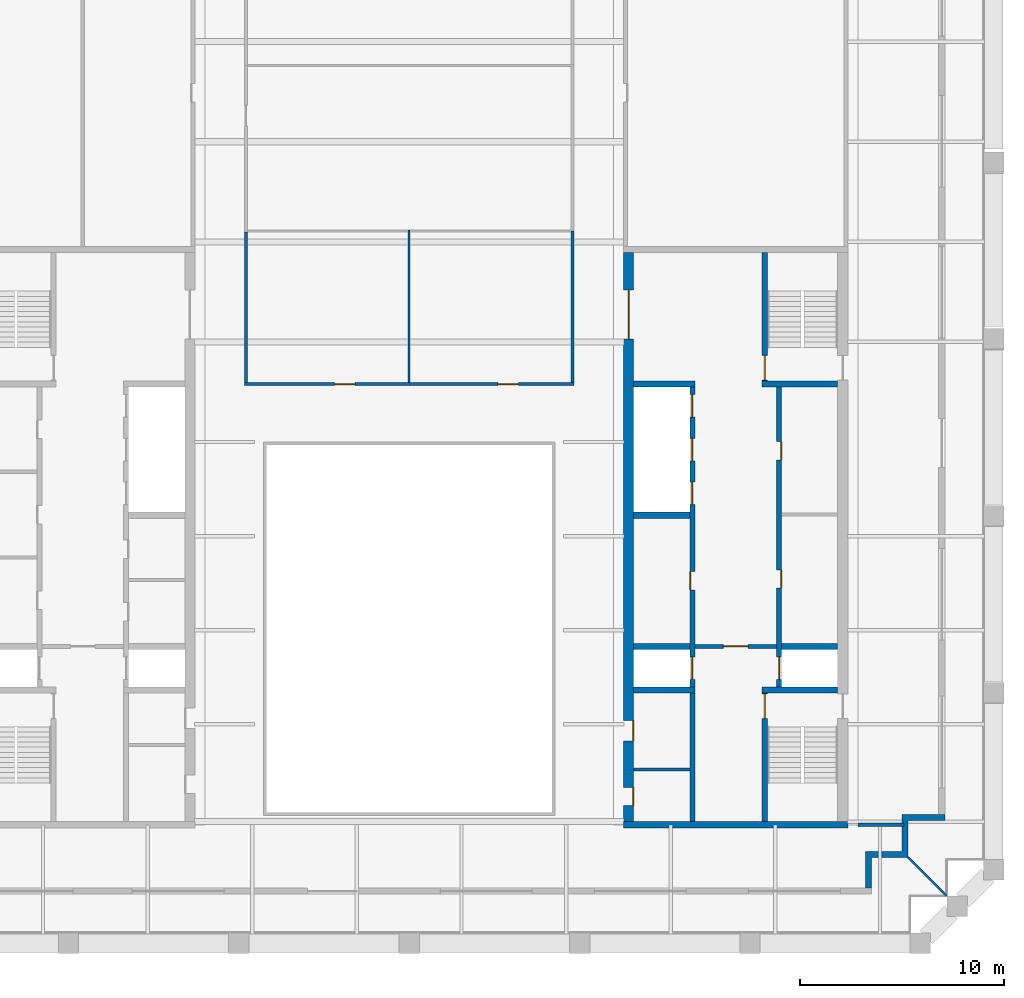
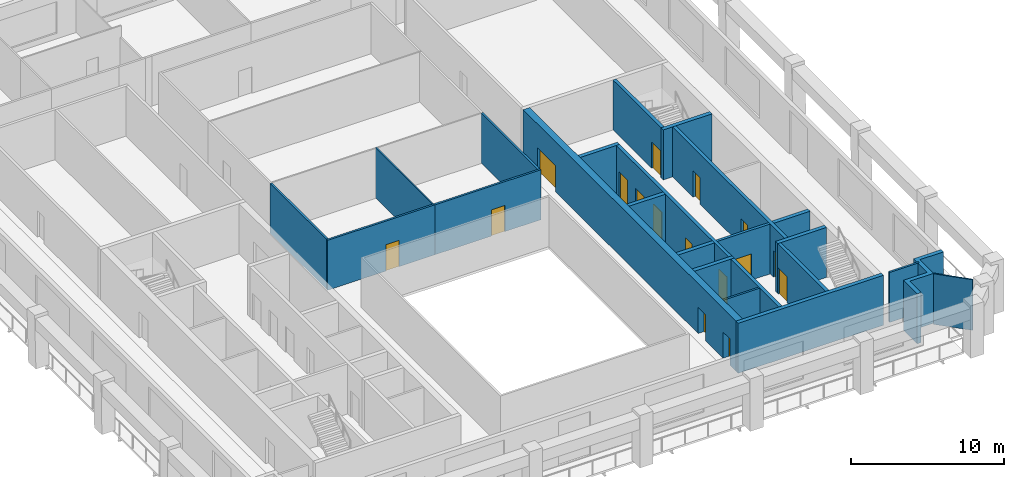
# One storey, part 4 of 9: 23 walls, 16 doors, 16 openings.
"""IFC4 building model written with IfcOpenShell, lengths in metres."""

from ifc_helpers import new_model, si_unit, direction, frame, frame_2d, origin, place, context, subcontext, project, spatial, polyline, rectangle, outline, extrude, material, layer, layer_set, type_object, element, fill, save


model = new_model("IFC4")

# Units and contexts
model_context = context("Model", 3, precision=1e-05, world=origin(), true_north=direction((0.0, 1.0)))
body_context = subcontext(model_context, "Body", "Model", "MODEL_VIEW")
ifc_project = project(units=[si_unit("LENGTHUNIT", "METRE"), si_unit("AREAUNIT", "SQUARE_METRE"), si_unit("VOLUMEUNIT", "CUBIC_METRE"), si_unit("PLANEANGLEUNIT", "RADIAN"), si_unit("MASSUNIT", "GRAM", prefix="KILO")], contexts=[model_context])

# Site, building, storey
site_placement = place(None, origin())
site = spatial("IfcSite", under=ifc_project, at=site_placement, CompositionType="ELEMENT")
building_placement = place(site_placement, origin())
building = spatial("IfcBuilding", under=site, at=building_placement, Name="Ogive Exchange Tower", CompositionType="ELEMENT")
storey_placement = place(building_placement, frame((0.0, 0.0, 346.800048828125)))
storey = spatial("IfcBuildingStorey", under=building, at=storey_placement, Name="L76", CompositionType="ELEMENT", Elevation=346.800048828125)

# Wall
ifc_material_1 = material(Name="Gypsum board partition")
ifc_layer_1 = layer(ifc_material_1, 0.14990234375)
ifc_layer_set_1 = layer_set([ifc_layer_1], Name="Core room partition 150 gypsum")
wall_type_1 = type_object("IfcWallType", Name="Core room partition 150 gypsum", PredefinedType="PARTITIONING", material=ifc_layer_set_1)
wall_1_placement = place(storey_placement, frame((11.0, 0.10009765625, 0.0), z_axis=(0.0, 0.0, 1.0), x_axis=(1.0, 0.0, 0.0)))
element("IfcWall", 1, at=wall_1_placement, inside=storey, type_object=wall_type_1, Name="E south room partition", PredefinedType="PARTITIONING", context=body_context, shape_type="SweptSolid", body=[
    extrude(rectangle(XDim=2.75, YDim=0.14990234375, at=frame_2d((1.375, 0.0))), origin(), (0.0, 0.0, 1.0), 4.0),
])

# Wall, opening, door
ifc_material_2 = material(Name="Fire partition EI 60 150")
ifc_layer_2 = layer(ifc_material_2, 0.14990234375)
ifc_layer_set_2 = layer_set([ifc_layer_2], Name="Fire partition EI 60 150")
wall_type_2 = type_object("IfcWallType", Name="Fire partition EI 60 150", PredefinedType="PARTITIONING", material=ifc_layer_set_2)
wall_2_placement = place(storey_placement, frame((-8.074951171875, 19.0, 0.0), z_axis=(0.0, 0.0, 1.0), x_axis=(1.0, 0.0, 0.0)))
wall_2 = element("IfcWall", 2, at=wall_2_placement, inside=storey, type_object=wall_type_2, Name="L76-PWL-012", PredefinedType="PARTITIONING", context=body_context, shape_type="SweptSolid", body=[
    extrude(rectangle(XDim=8.125, YDim=0.14990234375, at=frame_2d((4.0625, 0.0))), origin(), (0.0, 0.0, 1.0), 4.0),
])
opening_1_placement = place(wall_2_placement, frame((4.425048828125, 0.0, 0.0)))
opening_1 = element("IfcOpeningElement", 3, at=opening_1_placement, cuts=wall_2, Name="Opening L76-I14", PredefinedType="OPENING", context=body_context, shape_type="SweptSolid", body=[
    extrude(rectangle(XDim=1.0, YDim=2.10009765625, at=frame_2d((0.5, 1.050048828125))), frame((0.0, 0.0849609375, 0.0), z_axis=(0.0, -1.0, 0.0), x_axis=(1.0, 0.0, 0.0)), (0.0, 0.0, 1.0), 0.169921875),
])
ifc_material_3 = material(Name="Fire door FD 30S 1000 x 2100")
door_type_1 = type_object("IfcDoorType", Name="Fire door FD 30S 1000 x 2100", OperationType="NOTDEFINED", PredefinedType="DOOR", material=ifc_material_3)
door_1_placement = place(opening_1_placement, origin())
door_1 = element("IfcDoor", 4, at=door_1_placement, inside=storey, type_object=door_type_1, Name="L76-IDR-014", ObjectType="DT3", OperationType="SINGLE_SWING_LEFT", OverallHeight=2.10009765625, OverallWidth=1.0, PredefinedType="DOOR", context=body_context, shape_type="SweptSolid", body=[
    extrude(rectangle(XDim=1.0, YDim=2.10009765625, at=frame_2d((0.5, 1.050048828125))), frame((0.0, 0.02490234375, 0.0), z_axis=(0.0, -1.0, 0.0), x_axis=(1.0, 0.0, 0.0)), (0.0, 0.0, 1.0), 0.050048828125),
])
fill(opening_1, door_1)

# Wall
wall_3_placement = place(storey_placement, frame((-8.0, 26.449951171875, 0.0), z_axis=(0.0, 0.0, 1.0), x_axis=(0.0, -1.0, 0.0)))
element("IfcWall", 5, at=wall_3_placement, inside=storey, type_object=wall_type_2, Name="L76-PWL-013", PredefinedType="PARTITIONING", context=body_context, shape_type="SweptSolid", body=[
    extrude(rectangle(XDim=7.375, YDim=0.14990234375, at=frame_2d((3.6875, 0.0))), origin(), (0.0, 0.0, 1.0), 4.0),
])

# Wall, opening, door
wall_4_placement = place(storey_placement, frame((0.0, 19.0, 0.0), z_axis=(0.0, 0.0, 1.0), x_axis=(1.0, 0.0, 0.0)))
wall_4 = element("IfcWall", 6, at=wall_4_placement, inside=storey, type_object=wall_type_2, Name="L76-PWL-022", PredefinedType="PARTITIONING", context=body_context, shape_type="SweptSolid", body=[
    extrude(rectangle(XDim=8.074951171875, YDim=0.14990234375, at=frame_2d((4.03759765625, 0.0))), origin(), (0.0, 0.0, 1.0), 4.0),
])
opening_2_placement = place(wall_4_placement, frame((4.35009765625, 0.0, 0.0)))
opening_2 = element("IfcOpeningElement", 7, at=opening_2_placement, cuts=wall_4, Name="Opening L76-I13", PredefinedType="OPENING", context=body_context, shape_type="SweptSolid", body=[
    extrude(rectangle(XDim=1.0, YDim=2.10009765625, at=frame_2d((0.5, 1.050048828125))), frame((0.0, 0.0849609375, 0.0), z_axis=(0.0, -1.0, 0.0), x_axis=(1.0, 0.0, 0.0)), (0.0, 0.0, 1.0), 0.169921875),
])
door_2_placement = place(opening_2_placement, origin())
door_2 = element("IfcDoor", 8, at=door_2_placement, inside=storey, type_object=door_type_1, Name="L76-IDR-013", ObjectType="DT3", OperationType="SINGLE_SWING_LEFT", OverallHeight=2.10009765625, OverallWidth=1.0, PredefinedType="DOOR", context=body_context, shape_type="SweptSolid", body=[
    extrude(rectangle(XDim=1.0, YDim=2.10009765625, at=frame_2d((0.5, 1.050048828125))), frame((0.0, 0.02490234375, 0.0), z_axis=(0.0, -1.0, 0.0), x_axis=(1.0, 0.0, 0.0)), (0.0, 0.0, 1.0), 0.050048828125),
])
fill(opening_2, door_2)

# Walls
wall_5_placement = place(storey_placement, frame((8.0, 19.074951171875, 0.0), z_axis=(0.0, 0.0, 1.0), x_axis=(0.0, 1.0, 0.0)))
element("IfcWall", 9, at=wall_5_placement, inside=storey, type_object=wall_type_2, Name="L76-PWL-028", PredefinedType="PARTITIONING", context=body_context, shape_type="SweptSolid", body=[
    extrude(rectangle(XDim=7.425048828125, YDim=0.14990234375, at=frame_2d((3.71240234375, 0.0))), origin(), (0.0, 0.0, 1.0), 4.0),
])
wall_6_placement = place(storey_placement, frame((22.0, -2.60009765625, 0.0), z_axis=(0.0, 0.0, 1.0), x_axis=(1.0, 0.0, 0.0)))
element("IfcWall", 10, at=wall_6_placement, inside=storey, type_object=wall_type_2, Name="L76-PWL-037", PredefinedType="PARTITIONING", context=body_context, shape_type="SweptSolid", body=[
    extrude(rectangle(XDim=2.25, YDim=0.14990234375, at=frame_2d((1.125, 0.0))), origin(), (0.0, 0.0, 1.0), 4.0),
])
ifc_material_4 = material(Name="Precast concrete C40/50", Category="concrete")
ifc_layer_3 = layer(ifc_material_4, 0.300048828125)
ifc_layer_set_3 = layer_set([ifc_layer_3], Name="Limestone-faced wall 300")
wall_type_3 = type_object("IfcWallType", Name="Limestone-faced wall 300", PredefinedType="STANDARD", material=ifc_layer_set_3)
wall_7_placement = place(storey_placement, origin())
element("IfcWall", 11, at=wall_7_placement, inside=storey, type_object=wall_type_3, Name="External corner wall C1", PredefinedType="STANDARD", context=body_context, shape_type="SweptSolid", body=[
    extrude(outline(polyline([(24.14990234375, -3.89990234375), (24.14990234375, -2.10009765625), (26.25, -2.10009765625), (26.25, -2.39990234375), (24.449951171875, -2.39990234375), (24.449951171875, -4.199951171875), (22.64990234375, -4.199951171875), (22.64990234375, -5.699951171875), (22.35009765625, -5.699951171875), (22.35009765625, -3.89990234375), (24.14990234375, -3.89990234375)])), origin(), (0.0, 0.0, 1.0), 4.0),
])
ifc_material_5 = material(Name="Laminated safety glass in steel frame", Category="steel")
ifc_layer_4 = layer(ifc_material_5, 0.10009765625)
ifc_layer_set_4 = layer_set([ifc_layer_4], Name="Loggia end screen 100")
wall_type_4 = type_object("IfcWallType", Name="Loggia end screen 100", PredefinedType="STANDARD", material=ifc_layer_set_4)
wall_8_placement = place(storey_placement, frame((24.449951171875, -4.199951171875, -0.050048828125), z_axis=(0.0, 0.0, 1.0), x_axis=(0.707106781187, -0.707106781187, 0.0)))
element("IfcWall", 12, at=wall_8_placement, inside=storey, type_object=wall_type_4, Name="Loggia end screen C1", PredefinedType="STANDARD", context=body_context, shape_type="SweptSolid", body=[
    extrude(rectangle(XDim=2.667236328125, YDim=0.10009765625, at=frame_2d((1.33349609375, 0.0))), origin(), (0.0, 0.0, 1.0), 4.050048828125),
])
ifc_material_6 = material(Name="Partition 100 gypsum")
ifc_layer_5 = layer(ifc_material_6, 0.10009765625)
ifc_layer_set_5 = layer_set([ifc_layer_5], Name="Partition 100 gypsum")
wall_type_5 = type_object("IfcWallType", Name="Partition 100 gypsum", PredefinedType="PARTITIONING", material=ifc_layer_set_5)
wall_9_placement = place(storey_placement, frame((0.0, 19.074951171875, 0.0), z_axis=(0.0, 0.0, 1.0), x_axis=(0.0, 1.0, 0.0)))
element("IfcWall", 13, at=wall_9_placement, inside=storey, type_object=wall_type_5, Name="L76-PWL-021", PredefinedType="PARTITIONING", context=body_context, shape_type="SweptSolid", body=[
    extrude(rectangle(XDim=7.47509765625, YDim=0.10009765625, at=frame_2d((3.737548828125, 0.0))), origin(), (0.0, 0.0, 1.0), 4.0),
])

# Wall, opening, door
ifc_material_7 = material(Name="Concrete C70/85", Category="concrete")
ifc_layer_6 = layer(ifc_material_7, 0.199951171875)
ifc_layer_set_6 = layer_set([ifc_layer_6], Name="RC core wall 200 C70/85")
wall_type_6 = type_object("IfcWallType", Name="RC core wall 200 C70/85", PredefinedType="SHEAR", material=ifc_layer_set_6)
wall_10_placement = place(storey_placement, frame((14.0, 6.142822265625, 0.0), z_axis=(0.0, 0.0, 1.0), x_axis=(1.0, 0.0, 0.0)))
wall_10 = element("IfcWall", 14, at=wall_10_placement, inside=storey, type_object=wall_type_6, Name="E firefighting lobby wall", PredefinedType="SHEAR", context=body_context, shape_type="SweptSolid", body=[
    extrude(rectangle(XDim=4.0, YDim=0.199951171875, at=frame_2d((2.0, 0.0))), origin(), (0.0, 0.0, 1.0), 4.0),
])
opening_3_placement = place(wall_10_placement, frame((1.39990234375, 0.0, 0.0)))
opening_3 = element("IfcOpeningElement", 15, at=opening_3_placement, cuts=wall_10, Name="Opening L76-C29", PredefinedType="OPENING", context=body_context, shape_type="SweptSolid", body=[
    extrude(rectangle(XDim=1.199951171875, YDim=2.10009765625, at=frame_2d((0.60009765625, 1.050048828125))), frame((0.0, 0.10986328125, 0.0), z_axis=(0.0, -1.0, 0.0), x_axis=(1.0, 0.0, 0.0)), (0.0, 0.0, 1.0), 0.219970703125),
])
ifc_material_8 = material(Name="Steel fire door", Category="steel")
door_type_2 = type_object("IfcDoorType", Name="Firefighting lobby door FD60 1200 x 2100", OperationType="NOTDEFINED", PredefinedType="DOOR", material=ifc_material_8)
door_3_placement = place(opening_3_placement, frame((1.199951171875, 0.0, 0.0), z_axis=(0.0, 0.0, 1.0), x_axis=(-1.0, 0.0, 0.0)))
door_3 = element("IfcDoor", 16, at=door_3_placement, inside=storey, type_object=door_type_2, Name="Firefighting lobby door", ObjectType="CD3", OperationType="SINGLE_SWING_RIGHT", OverallHeight=2.10009765625, OverallWidth=1.199951171875, PredefinedType="DOOR", context=body_context, shape_type="SweptSolid", body=[
    extrude(rectangle(XDim=1.199951171875, YDim=2.10009765625, at=frame_2d((0.60009765625, 1.050048828125))), frame((0.0, 0.02490234375, 0.0), z_axis=(0.0, -1.0, 0.0), x_axis=(1.0, 0.0, 0.0)), (0.0, 0.0, 1.0), 0.050048828125),
])
fill(opening_3, door_3)

ifc_layer_7 = layer(ifc_material_7, 0.25)
ifc_layer_set_7 = layer_set([ifc_layer_7], Name="RC core wall 250 C70/85")
wall_type_7 = type_object("IfcWallType", Name="RC core wall 250 C70/85", PredefinedType="SHEAR", material=ifc_layer_set_7)
wall_11_placement = place(storey_placement, frame((17.425048828125, -2.449951171875, 0.0), z_axis=(0.0, 0.0, 1.0), x_axis=(0.0, 1.0, 0.0)))
wall_11 = element("IfcWall", 17, at=wall_11_placement, inside=storey, type_object=wall_type_7, Name="E stair S front wall", PredefinedType="SHEAR", context=body_context, shape_type="SweptSolid", body=[
    extrude(rectangle(XDim=6.300048828125, YDim=0.25, at=frame_2d((3.14990234375, 0.0))), origin(), (0.0, 0.0, 1.0), 4.0),
])
opening_4_placement = place(wall_11_placement, frame((5.050048828125, 0.0, 0.0)))
opening_4 = element("IfcOpeningElement", 18, at=opening_4_placement, cuts=wall_11, Name="Opening L76-C31", PredefinedType="OPENING", context=body_context, shape_type="SweptSolid", body=[
    extrude(rectangle(XDim=1.199951171875, YDim=2.10009765625, at=frame_2d((0.60009765625, 1.050048828125))), frame((0.0, 0.135009765625, 0.0), z_axis=(0.0, -1.0, 0.0), x_axis=(1.0, 0.0, 0.0)), (0.0, 0.0, 1.0), 0.27001953125),
])
door_type_3 = type_object("IfcDoorType", Name="Stair door FD90 1200 x 2100", OperationType="NOTDEFINED", PredefinedType="DOOR", material=ifc_material_8)
door_4_placement = place(opening_4_placement, frame((1.199951171875, 0.0, 0.0), z_axis=(0.0, 0.0, 1.0), x_axis=(-1.0, 0.0, 0.0)))
door_4 = element("IfcDoor", 19, at=door_4_placement, inside=storey, type_object=door_type_3, Name="Stair door", ObjectType="CD5", OperationType="SINGLE_SWING_RIGHT", OverallHeight=2.10009765625, OverallWidth=1.199951171875, PredefinedType="DOOR", context=body_context, shape_type="SweptSolid", body=[
    extrude(rectangle(XDim=1.199951171875, YDim=2.10009765625, at=frame_2d((0.60009765625, 1.050048828125))), frame((0.0, 0.02490234375, 0.0), z_axis=(0.0, -1.0, 0.0), x_axis=(1.0, 0.0, 0.0)), (0.0, 0.0, 1.0), 0.050048828125),
])
fill(opening_4, door_4)

wall_12_placement = place(storey_placement, frame((17.425048828125, 19.14990234375, 0.0), z_axis=(0.0, 0.0, 1.0), x_axis=(0.0, 1.0, 0.0)))
wall_12 = element("IfcWall", 20, at=wall_12_placement, inside=storey, type_object=wall_type_7, Name="E stair N front wall", PredefinedType="SHEAR", context=body_context, shape_type="SweptSolid", body=[
    extrude(rectangle(XDim=6.300048828125, YDim=0.25, at=frame_2d((3.14990234375, 0.0))), origin(), (0.0, 0.0, 1.0), 4.0),
])
opening_5_placement = place(wall_12_placement, frame((0.050048828125, 0.0, 0.0)))
opening_5 = element("IfcOpeningElement", 21, at=opening_5_placement, cuts=wall_12, Name="Opening L76-C33", PredefinedType="OPENING", context=body_context, shape_type="SweptSolid", body=[
    extrude(rectangle(XDim=1.199951171875, YDim=2.10009765625, at=frame_2d((0.60009765625, 1.050048828125))), frame((0.0, 0.135009765625, 0.0), z_axis=(0.0, -1.0, 0.0), x_axis=(1.0, 0.0, 0.0)), (0.0, 0.0, 1.0), 0.27001953125),
])
door_5_placement = place(opening_5_placement, frame((1.199951171875, 0.0, 0.0), z_axis=(0.0, 0.0, 1.0), x_axis=(-1.0, 0.0, 0.0)))
door_5 = element("IfcDoor", 22, at=door_5_placement, inside=storey, type_object=door_type_3, Name="Stair door", ObjectType="CD5", OperationType="SINGLE_SWING_LEFT", OverallHeight=2.10009765625, OverallWidth=1.199951171875, PredefinedType="DOOR", context=body_context, shape_type="SweptSolid", body=[
    extrude(rectangle(XDim=1.199951171875, YDim=2.10009765625, at=frame_2d((0.60009765625, 1.050048828125))), frame((0.0, 0.02490234375, 0.0), z_axis=(0.0, -1.0, 0.0), x_axis=(1.0, 0.0, 0.0)), (0.0, 0.0, 1.0), 0.050048828125),
])
fill(opening_5, door_5)

# Wall, openings, doors
wall_13_placement = place(storey_placement, frame((18.125, 4.14990234375, 0.0), z_axis=(0.0, 0.0, 1.0), x_axis=(0.0, 1.0, 0.0)))
wall_13 = element("IfcWall", 23, at=wall_13_placement, inside=storey, type_object=wall_type_7, Name="E row A front wall", PredefinedType="SHEAR", context=body_context, shape_type="SweptSolid", body=[
    extrude(rectangle(XDim=14.7001953125, YDim=0.25, at=frame_2d((7.35009765625, 0.0))), origin(), (0.0, 0.0, 1.0), 4.0),
])
opening_6_placement = place(wall_13_placement, frame((4.846435546875, 0.0, 0.0)))
opening_6 = element("IfcOpeningElement", 24, at=opening_6_placement, cuts=wall_13, Name="Opening L76-C21", PredefinedType="OPENING", context=body_context, shape_type="SweptSolid", body=[
    extrude(rectangle(XDim=0.89990234375, YDim=2.10009765625, at=frame_2d((0.449951171875, 1.050048828125))), frame((0.0, 0.135009765625, 0.0), z_axis=(0.0, -1.0, 0.0), x_axis=(1.0, 0.0, 0.0)), (0.0, 0.0, 1.0), 0.27001953125),
])
opening_7_placement = place(wall_13_placement, frame((11.125, 0.0, 0.0)))
opening_7 = element("IfcOpeningElement", 25, at=opening_7_placement, cuts=wall_13, Name="Opening L76-C22", PredefinedType="OPENING", context=body_context, shape_type="SweptSolid", body=[
    extrude(rectangle(XDim=0.89990234375, YDim=2.10009765625, at=frame_2d((0.449951171875, 1.050048828125))), frame((0.0, 0.135009765625, 0.0), z_axis=(0.0, -1.0, 0.0), x_axis=(1.0, 0.0, 0.0)), (0.0, 0.0, 1.0), 0.27001953125),
])
opening_8_placement = place(wall_13_placement, frame((0.371337890625, 0.0, 0.0)))
opening_8 = element("IfcOpeningElement", 26, at=opening_8_placement, cuts=wall_13, Name="Opening L76-C23", PredefinedType="OPENING", context=body_context, shape_type="SweptSolid", body=[
    extrude(rectangle(XDim=1.10009765625, YDim=2.10009765625, at=frame_2d((0.550048828125, 1.050048828125))), frame((0.0, 0.135009765625, 0.0), z_axis=(0.0, -1.0, 0.0), x_axis=(1.0, 0.0, 0.0)), (0.0, 0.0, 1.0), 0.27001953125),
])
ifc_material_9 = material(Name="Timber fire door", Category="wood")
door_type_4 = type_object("IfcDoorType", Name="Core room door FD30S 900 x 2100", OperationType="NOTDEFINED", PredefinedType="DOOR", material=ifc_material_9)
door_6_placement = place(opening_7_placement, frame((0.89990234375, -0.2001953125, 0.0), z_axis=(0.0, 0.0, 1.0), x_axis=(-1.0, 0.0, 0.0)))
door_6 = element("IfcDoor", 27, at=door_6_placement, inside=storey, type_object=door_type_4, Name="Core room door", ObjectType="CD6", OperationType="SINGLE_SWING_RIGHT", OverallHeight=2.10009765625, OverallWidth=0.89990234375, PredefinedType="DOOR", context=body_context, shape_type="SweptSolid", body=[
    extrude(rectangle(XDim=0.89990234375, YDim=2.10009765625, at=frame_2d((0.449951171875, 1.050048828125))), frame((0.0, -0.0751953125, 0.0), z_axis=(0.0, -1.0, 0.0), x_axis=(1.0, 0.0, 0.0)), (0.0, 0.0, 1.0), 0.050048828125),
])
fill(opening_7, door_6)
ifc_material_10 = material(Name="Stainless steel", Category="steel")
door_type_5 = type_object("IfcDoorType", Name="Lift landing door FD90 1100 x 2100", OperationType="SLIDING_TO_LEFT", PredefinedType="DOOR", material=ifc_material_10)
door_7_placement = place(opening_8_placement, origin())
door_7 = element("IfcDoor", 28, at=door_7_placement, inside=storey, type_object=door_type_5, Name="Lift landing door FF2", ObjectType="LD", OperationType="SLIDING_TO_LEFT", OverallHeight=2.10009765625, OverallWidth=1.10009765625, PredefinedType="DOOR", context=body_context, shape_type="SweptSolid", body=[
    extrude(rectangle(XDim=1.10009765625, YDim=2.10009765625, at=frame_2d((0.550048828125, 1.050048828125))), frame((0.0, 0.02490234375, 0.0), z_axis=(0.0, -1.0, 0.0), x_axis=(1.0, 0.0, 0.0)), (0.0, 0.0, 1.0), 0.050048828125),
])
fill(opening_8, door_7)
door_type_6 = type_object("IfcDoorType", Name="Riser door FD60 900 x 2100", OperationType="NOTDEFINED", PredefinedType="DOOR", material=ifc_material_8)
door_8_placement = place(opening_6_placement, frame((0.89990234375, -0.2001953125, 0.0), z_axis=(0.0, 0.0, 1.0), x_axis=(-1.0, 0.0, 0.0)))
door_8 = element("IfcDoor", 29, at=door_8_placement, inside=storey, type_object=door_type_6, Name="Riser door", ObjectType="CD2", OperationType="SINGLE_SWING_RIGHT", OverallHeight=2.10009765625, OverallWidth=0.89990234375, PredefinedType="DOOR", context=body_context, shape_type="SweptSolid", body=[
    extrude(rectangle(XDim=0.89990234375, YDim=2.10009765625, at=frame_2d((0.449951171875, 1.050048828125))), frame((0.0, -0.0751953125, 0.0), z_axis=(0.0, -1.0, 0.0), x_axis=(1.0, 0.0, 0.0)), (0.0, 0.0, 1.0), 0.050048828125),
])
fill(opening_6, door_8)

wall_14_placement = place(storey_placement, frame((13.875, -2.449951171875, 0.0), z_axis=(0.0, 0.0, 1.0), x_axis=(0.0, 1.0, 0.0)))
wall_14 = element("IfcWall", 30, at=wall_14_placement, inside=storey, type_object=wall_type_7, Name="E row B front wall", PredefinedType="SHEAR", context=body_context, shape_type="SweptSolid", body=[
    extrude(rectangle(XDim=21.300048828125, YDim=0.25, at=frame_2d((10.64990234375, 0.0))), origin(), (0.0, 0.0, 1.0), 4.0),
])
opening_9_placement = place(wall_14_placement, frame((11.357177734375, 0.0, 0.0)))
opening_9 = element("IfcOpeningElement", 31, at=opening_9_placement, cuts=wall_14, Name="Opening L76-C24", PredefinedType="OPENING", context=body_context, shape_type="SweptSolid", body=[
    extrude(rectangle(XDim=0.89990234375, YDim=2.10009765625, at=frame_2d((0.449951171875, 1.050048828125))), frame((0.0, 0.135009765625, 0.0), z_axis=(0.0, -1.0, 0.0), x_axis=(1.0, 0.0, 0.0)), (0.0, 0.0, 1.0), 0.27001953125),
])
opening_10_placement = place(wall_14_placement, frame((6.971435546875, 0.0, 0.0)))
opening_10 = element("IfcOpeningElement", 32, at=opening_10_placement, cuts=wall_14, Name="Opening L76-C25", PredefinedType="OPENING", context=body_context, shape_type="SweptSolid", body=[
    extrude(rectangle(XDim=1.10009765625, YDim=2.10009765625, at=frame_2d((0.550048828125, 1.050048828125))), frame((0.0, 0.135009765625, 0.0), z_axis=(0.0, -1.0, 0.0), x_axis=(1.0, 0.0, 0.0)), (0.0, 0.0, 1.0), 0.27001953125),
])
opening_11_placement = place(wall_14_placement, frame((15.54296875, 0.0, 0.0)))
opening_11 = element("IfcOpeningElement", 33, at=opening_11_placement, cuts=wall_14, Name="Opening L76-C26", PredefinedType="OPENING", context=body_context, shape_type="SweptSolid", body=[
    extrude(rectangle(XDim=1.10009765625, YDim=2.10009765625, at=frame_2d((0.550048828125, 1.050048828125))), frame((0.0, 0.135009765625, 0.0), z_axis=(0.0, -1.0, 0.0), x_axis=(1.0, 0.0, 0.0)), (0.0, 0.0, 1.0), 0.27001953125),
])
opening_12_placement = place(wall_14_placement, frame((17.685791015625, 0.0, 0.0)))
opening_12 = element("IfcOpeningElement", 34, at=opening_12_placement, cuts=wall_14, Name="Opening L76-C27", PredefinedType="OPENING", context=body_context, shape_type="SweptSolid", body=[
    extrude(rectangle(XDim=1.10009765625, YDim=2.10009765625, at=frame_2d((0.550048828125, 1.050048828125))), frame((0.0, 0.135009765625, 0.0), z_axis=(0.0, -1.0, 0.0), x_axis=(1.0, 0.0, 0.0)), (0.0, 0.0, 1.0), 0.27001953125),
])
opening_13_placement = place(wall_14_placement, frame((19.82861328125, 0.0, 0.0)))
opening_13 = element("IfcOpeningElement", 35, at=opening_13_placement, cuts=wall_14, Name="Opening L76-C28", PredefinedType="OPENING", context=body_context, shape_type="SweptSolid", body=[
    extrude(rectangle(XDim=1.10009765625, YDim=2.10009765625, at=frame_2d((0.550048828125, 1.050048828125))), frame((0.0, 0.135009765625, 0.0), z_axis=(0.0, -1.0, 0.0), x_axis=(1.0, 0.0, 0.0)), (0.0, 0.0, 1.0), 0.27001953125),
])
door_9_placement = place(opening_10_placement, origin())
door_9 = element("IfcDoor", 36, at=door_9_placement, inside=storey, type_object=door_type_5, Name="Lift landing door SV2", ObjectType="LD", OperationType="SLIDING_TO_LEFT", OverallHeight=2.10009765625, OverallWidth=1.10009765625, PredefinedType="DOOR", context=body_context, shape_type="SweptSolid", body=[
    extrude(rectangle(XDim=1.10009765625, YDim=2.10009765625, at=frame_2d((0.550048828125, 1.050048828125))), frame((0.0, 0.02490234375, 0.0), z_axis=(0.0, -1.0, 0.0), x_axis=(1.0, 0.0, 0.0)), (0.0, 0.0, 1.0), 0.050048828125),
])
fill(opening_10, door_9)
door_10_placement = place(opening_11_placement, origin())
door_10 = element("IfcDoor", 37, at=door_10_placement, inside=storey, type_object=door_type_5, Name="Lift landing door E-H1", ObjectType="LD", OperationType="SLIDING_TO_LEFT", OverallHeight=2.10009765625, OverallWidth=1.10009765625, PredefinedType="DOOR", context=body_context, shape_type="SweptSolid", body=[
    extrude(rectangle(XDim=1.10009765625, YDim=2.10009765625, at=frame_2d((0.550048828125, 1.050048828125))), frame((0.0, 0.02490234375, 0.0), z_axis=(0.0, -1.0, 0.0), x_axis=(1.0, 0.0, 0.0)), (0.0, 0.0, 1.0), 0.050048828125),
])
fill(opening_11, door_10)
door_11_placement = place(opening_12_placement, origin())
door_11 = element("IfcDoor", 38, at=door_11_placement, inside=storey, type_object=door_type_5, Name="Lift landing door E-H2", ObjectType="LD", OperationType="SLIDING_TO_LEFT", OverallHeight=2.10009765625, OverallWidth=1.10009765625, PredefinedType="DOOR", context=body_context, shape_type="SweptSolid", body=[
    extrude(rectangle(XDim=1.10009765625, YDim=2.10009765625, at=frame_2d((0.550048828125, 1.050048828125))), frame((0.0, 0.02490234375, 0.0), z_axis=(0.0, -1.0, 0.0), x_axis=(1.0, 0.0, 0.0)), (0.0, 0.0, 1.0), 0.050048828125),
])
fill(opening_12, door_11)
door_12_placement = place(opening_13_placement, origin())
door_12 = element("IfcDoor", 39, at=door_12_placement, inside=storey, type_object=door_type_5, Name="Lift landing door E-H3", ObjectType="LD", OperationType="SLIDING_TO_LEFT", OverallHeight=2.10009765625, OverallWidth=1.10009765625, PredefinedType="DOOR", context=body_context, shape_type="SweptSolid", body=[
    extrude(rectangle(XDim=1.10009765625, YDim=2.10009765625, at=frame_2d((0.550048828125, 1.050048828125))), frame((0.0, 0.02490234375, 0.0), z_axis=(0.0, -1.0, 0.0), x_axis=(1.0, 0.0, 0.0)), (0.0, 0.0, 1.0), 0.050048828125),
])
fill(opening_13, door_12)
door_13_placement = place(opening_9_placement, origin())
door_13 = element("IfcDoor", 40, at=door_13_placement, inside=storey, type_object=door_type_6, Name="Riser door", ObjectType="CD2", OperationType="SINGLE_SWING_RIGHT", OverallHeight=2.10009765625, OverallWidth=0.89990234375, PredefinedType="DOOR", context=body_context, shape_type="SweptSolid", body=[
    extrude(rectangle(XDim=0.89990234375, YDim=2.10009765625, at=frame_2d((0.449951171875, 1.050048828125))), frame((0.0, 0.125, 0.0), z_axis=(0.0, -1.0, 0.0), x_axis=(1.0, 0.0, 0.0)), (0.0, 0.0, 1.0), 0.050048828125),
])
fill(opening_9, door_13)

# Walls
ifc_layer_8 = layer(ifc_material_7, 0.300048828125)
ifc_layer_set_8 = layer_set([ifc_layer_8], Name="RC core wall 300 C70/85")
wall_type_8 = type_object("IfcWallType", Name="RC core wall 300 C70/85", PredefinedType="SHEAR", material=ifc_layer_set_8)
wall_15_placement = place(storey_placement, frame((10.5, -2.60009765625, 0.0), z_axis=(0.0, 0.0, 1.0), x_axis=(1.0, 0.0, 0.0)))
element("IfcWall", 41, at=wall_15_placement, inside=storey, type_object=wall_type_8, Name="E south end wall", PredefinedType="SHEAR", context=body_context, shape_type="SweptSolid", body=[
    extrude(rectangle(XDim=11.0, YDim=0.300048828125, at=frame_2d((5.5, 0.0))), origin(), (0.0, 0.0, 1.0), 4.0),
])
for number, where, z_axis, x_axis, name in (
    (42, (17.300048828125, 4.0, 0.0), (0.0, 0.0, 1.0), (1.0, 0.0, 0.0), "E stair S north wall"),
    (43, (17.300048828125, 19.0, 0.0), (0.0, 0.0, 1.0), (1.0, 0.0, 0.0), "E stair N south wall"),
):
    element("IfcWall", number, at=place(storey_placement, frame(where, z_axis=z_axis, x_axis=x_axis)), inside=storey, type_object=wall_type_8, Name=name, PredefinedType="SHEAR", context=body_context, shape_type="SweptSolid", body=[
        extrude(rectangle(XDim=3.699951171875, YDim=0.300048828125, at=frame_2d((1.85009765625, 0.0))), origin(), (0.0, 0.0, 1.0), 4.0),
    ])
wall_16_placement = place(storey_placement, frame((18.25, 6.142822265625, 0.0), z_axis=(0.0, 0.0, 1.0), x_axis=(1.0, 0.0, 0.0)))
element("IfcWall", 44, at=wall_16_placement, inside=storey, type_object=wall_type_8, Name="E row A divider 1", PredefinedType="SHEAR", context=body_context, shape_type="SweptSolid", body=[
    extrude(rectangle(XDim=2.75, YDim=0.300048828125, at=frame_2d((1.375, 0.0))), origin(), (0.0, 0.0, 1.0), 4.0),
])
wall_17_placement = place(storey_placement, frame((11.0, 4.0, 0.0), z_axis=(0.0, 0.0, 1.0), x_axis=(1.0, 0.0, 0.0)))
element("IfcWall", 45, at=wall_17_placement, inside=storey, type_object=wall_type_8, Name="E row B divider 0", PredefinedType="SHEAR", context=body_context, shape_type="SweptSolid", body=[
    extrude(rectangle(XDim=3.0, YDim=0.300048828125, at=frame_2d((1.5, 0.0))), origin(), (0.0, 0.0, 1.0), 4.0),
])
for number, where, z_axis, x_axis, name in (
    (46, (11.0, 6.142822265625, 0.0), (0.0, 0.0, 1.0), (1.0, 0.0, 0.0), "E row B divider 1"),
    (47, (11.0, 12.5712890625, 0.0), (0.0, 0.0, 1.0), (1.0, 0.0, 0.0), "E row B divider 4"),
):
    element("IfcWall", number, at=place(storey_placement, frame(where, z_axis=z_axis, x_axis=x_axis)), inside=storey, type_object=wall_type_8, Name=name, PredefinedType="SHEAR", context=body_context, shape_type="SweptSolid", body=[
        extrude(rectangle(XDim=2.75, YDim=0.300048828125, at=frame_2d((1.375, 0.0))), origin(), (0.0, 0.0, 1.0), 4.0),
    ])
wall_18_placement = place(storey_placement, frame((11.0, 19.0, 0.0), z_axis=(0.0, 0.0, 1.0), x_axis=(1.0, 0.0, 0.0)))
element("IfcWall", 48, at=wall_18_placement, inside=storey, type_object=wall_type_8, Name="E row B divider 7", PredefinedType="SHEAR", context=body_context, shape_type="SweptSolid", body=[
    extrude(rectangle(XDim=3.0, YDim=0.300048828125, at=frame_2d((1.5, 0.0))), origin(), (0.0, 0.0, 1.0), 4.0),
])

# Wall, openings, doors
ifc_layer_9 = layer(ifc_material_7, 0.5)
ifc_layer_set_9 = layer_set([ifc_layer_9], Name="RC core wall 500 C70/85")
wall_type_9 = type_object("IfcWallType", Name="RC core wall 500 C70/85", PredefinedType="SHEAR", material=ifc_layer_set_9)
wall_19_placement = place(storey_placement, frame((10.75, -2.449951171875, 0.0), z_axis=(0.0, 0.0, 1.0), x_axis=(0.0, 1.0, 0.0)))
wall_19 = element("IfcWall", 49, at=wall_19_placement, inside=storey, type_object=wall_type_9, Name="E inner wall", PredefinedType="SHEAR", context=body_context, shape_type="SweptSolid", body=[
    extrude(rectangle(XDim=27.89990234375, YDim=0.5, at=frame_2d((13.949951171875, 0.0))), origin(), (0.0, 0.0, 1.0), 4.0),
])
opening_14_placement = place(wall_19_placement, frame((23.64990234375, 0.0, 0.0)))
opening_14 = element("IfcOpeningElement", 50, at=opening_14_placement, cuts=wall_19, Name="Opening L76-C30", PredefinedType="OPENING", context=body_context, shape_type="SweptSolid", body=[
    extrude(rectangle(XDim=2.39990234375, YDim=2.10009765625, at=frame_2d((1.199951171875, 1.050048828125))), frame((0.0, 0.260009765625, 0.0), z_axis=(0.0, -1.0, 0.0), x_axis=(1.0, 0.0, 0.0)), (0.0, 0.0, 1.0), 0.52001953125),
])
opening_15_placement = place(wall_19_placement, frame((0.78759765625, 0.0, 0.0)))
opening_15 = element("IfcOpeningElement", 51, at=opening_15_placement, cuts=wall_19, Name="Opening L76-C35", PredefinedType="OPENING", context=body_context, shape_type="SweptSolid", body=[
    extrude(rectangle(XDim=0.89990234375, YDim=2.10009765625, at=frame_2d((0.449951171875, 1.050048828125))), frame((0.0, 0.260009765625, 0.0), z_axis=(0.0, -1.0, 0.0), x_axis=(1.0, 0.0, 0.0)), (0.0, 0.0, 1.0), 0.52001953125),
])
opening_16_placement = place(wall_19_placement, frame((3.96240234375, 0.0, 0.0)))
opening_16 = element("IfcOpeningElement", 52, at=opening_16_placement, cuts=wall_19, Name="Opening L76-C36", PredefinedType="OPENING", context=body_context, shape_type="SweptSolid", body=[
    extrude(rectangle(XDim=1.0, YDim=2.10009765625, at=frame_2d((0.5, 1.050048828125))), frame((0.0, 0.260009765625, 0.0), z_axis=(0.0, -1.0, 0.0), x_axis=(1.0, 0.0, 0.0)), (0.0, 0.0, 1.0), 0.52001953125),
])
door_type_7 = type_object("IfcDoorType", Name="Accessible WC door FD30S 1000 x 2100", OperationType="NOTDEFINED", PredefinedType="DOOR", material=ifc_material_9)
door_14_placement = place(opening_16_placement, origin())
door_14 = element("IfcDoor", 53, at=door_14_placement, inside=storey, type_object=door_type_7, Name="Accessible WC door", ObjectType="CD7", OperationType="SINGLE_SWING_LEFT", OverallHeight=2.10009765625, OverallWidth=1.0, PredefinedType="DOOR", context=body_context, shape_type="SweptSolid", body=[
    extrude(rectangle(XDim=1.0, YDim=2.10009765625, at=frame_2d((0.5, 1.050048828125))), frame((0.0, -0.2001953125, 0.0), z_axis=(0.0, -1.0, 0.0), x_axis=(1.0, 0.0, 0.0)), (0.0, 0.0, 1.0), 0.050048828125),
])
fill(opening_16, door_14)
door_15_placement = place(opening_15_placement, origin())
door_15 = element("IfcDoor", 54, at=door_15_placement, inside=storey, type_object=door_type_4, Name="Core room door", ObjectType="CD6", OperationType="SINGLE_SWING_LEFT", OverallHeight=2.10009765625, OverallWidth=0.89990234375, PredefinedType="DOOR", context=body_context, shape_type="SweptSolid", body=[
    extrude(rectangle(XDim=0.89990234375, YDim=2.10009765625, at=frame_2d((0.449951171875, 1.050048828125))), frame((0.0, -0.2001953125, 0.0), z_axis=(0.0, -1.0, 0.0), x_axis=(1.0, 0.0, 0.0)), (0.0, 0.0, 1.0), 0.050048828125),
])
fill(opening_15, door_15)
ifc_material_11 = material(Name="Glazed steel fire door", Category="steel")
door_type_8 = type_object("IfcDoorType", Name="Lift lobby double door FD60 2400 x 2100", OperationType="DOUBLE_DOOR_SINGLE_SWING", PredefinedType="DOOR", material=ifc_material_11)
door_16_placement = place(opening_14_placement, origin())
door_16 = element("IfcDoor", 55, at=door_16_placement, inside=storey, type_object=door_type_8, Name="Lift lobby double door", ObjectType="CD4", OperationType="DOUBLE_DOOR_SINGLE_SWING", OverallHeight=2.10009765625, OverallWidth=2.39990234375, PredefinedType="DOOR", context=body_context, shape_type="SweptSolid", body=[
    extrude(rectangle(XDim=2.39990234375, YDim=2.10009765625, at=frame_2d((1.199951171875, 1.050048828125))), frame((0.0, 0.02490234375, 0.0), z_axis=(0.0, -1.0, 0.0), x_axis=(1.0, 0.0, 0.0)), (0.0, 0.0, 1.0), 0.050048828125),
])
fill(opening_14, door_16)

save(model, "model.ifc")
